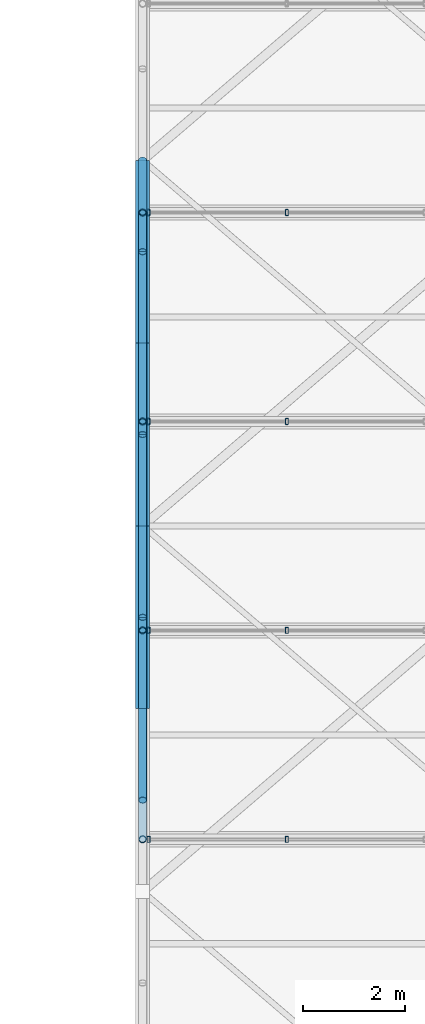
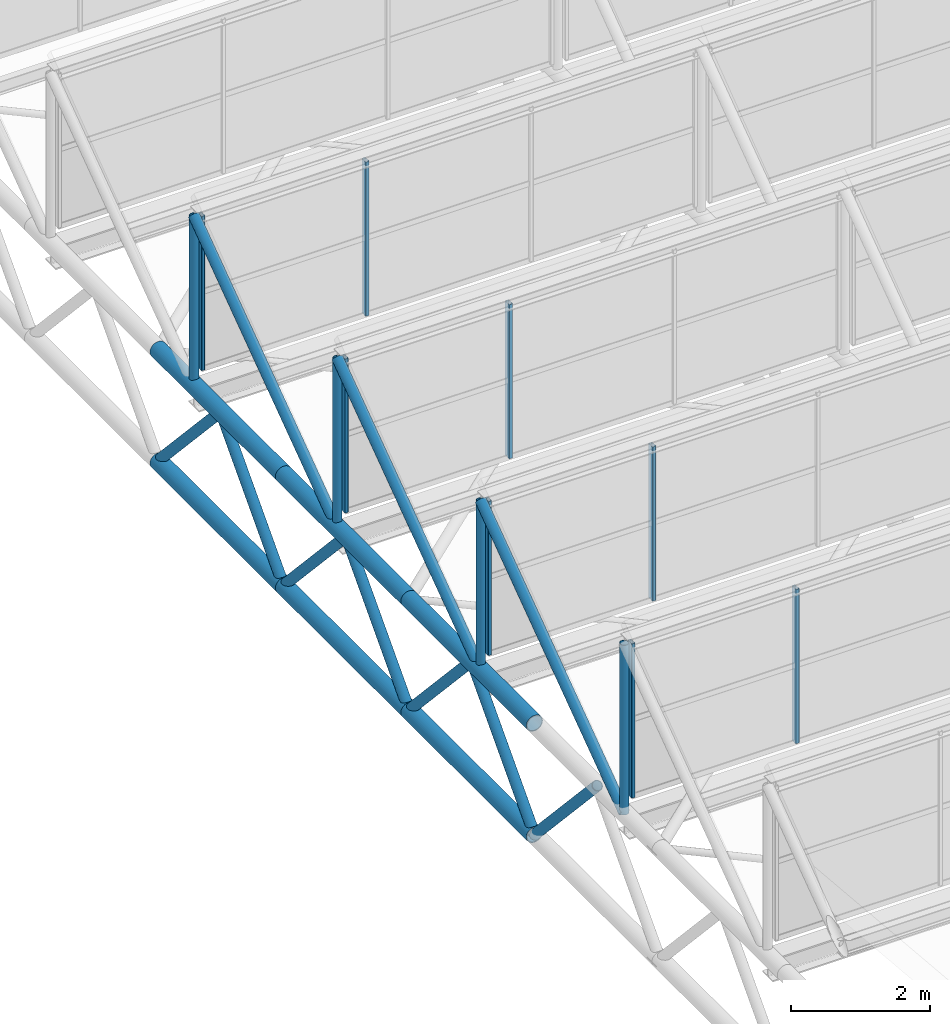
# One storey, part 51 of 134: 28 members, 4 elements without a shape of their own.
"""IFC4 building model written with IfcOpenShell, lengths in metres."""

from ifc_helpers import new_model, si_unit, derived_unit, direction, frame, origin, origin_2d, place, context, subcontext, project, spatial, hollow_rectangle, hollow_circle, extrude, material, material_profile, profile_set, type_object, element, aggregate, save


model = new_model("IFC4")

# Units and contexts
model_context = context("Model", 3, precision=1e-05, world=origin(), true_north=direction((0.0, 1.0)))
body_context = subcontext(model_context, "Body", "Model", "MODEL_VIEW")
ifc_project = project(units=[si_unit("LENGTHUNIT", "METRE"), si_unit("AREAUNIT", "SQUARE_METRE"), si_unit("VOLUMEUNIT", "CUBIC_METRE"), si_unit("PLANEANGLEUNIT", "RADIAN"), si_unit("MASSUNIT", "GRAM", prefix="KILO"), derived_unit("THERMALTRANSMITTANCEUNIT", [(si_unit("MASSUNIT", "GRAM", prefix="KILO"), 1), (si_unit("TIMEUNIT", "SECOND"), -3), (si_unit("THERMODYNAMICTEMPERATUREUNIT", "KELVIN"), -1)])], contexts=[model_context])

# Site, building, storey
site_placement = place(None, origin())
site = spatial("IfcSite", under=ifc_project, at=site_placement, CompositionType="ELEMENT")
building_placement = place(site_placement, origin())
building = spatial("IfcBuilding", under=site, at=building_placement, Name="Kharveza Railside Sports Centre", CompositionType="ELEMENT")
storey_placement = place(building_placement, frame((0.0, 0.0, 12.89990234375)))
storey = spatial("IfcBuildingStorey", under=building, at=storey_placement, Name="L03", CompositionType="ELEMENT", Elevation=12.89990234375)

# Curtain wall, members
ifc_material_1 = material(Name="Low-E solar-control laminated glass", Category="glass")
curtain_wall_type = type_object("IfcCurtainWallType", Name="CW-NL02", PredefinedType="NOTDEFINED", material=ifc_material_1)
curtain_wall_1_placement = place(storey_placement, origin())
curtain_wall_1 = element("IfcCurtainWall", 1, at=curtain_wall_1_placement, inside=storey, type_object=curtain_wall_type, Name="CW-V2NL-2-1", PredefinedType="NOTDEFINED")
ifc_material_2 = material(Name="Anodised aluminium 6063-T6", Category="aluminium")
ifc_material_profile_1 = material_profile(ifc_material_2, hollow_rectangle(XDim=0.06005859375, YDim=0.1201171875, WallThickness=0.0048828125, InnerFilletRadius=0.0048828125, OuterFilletRadius=0.010009765625, at=origin_2d()), Name="RHS 60x120x5.0")
ifc_profile_set_1 = profile_set([ifc_material_profile_1], Name="Anodised aluminium 6063-T6")
member_type_1 = type_object("IfcMemberType", Name="CW-ML05", PredefinedType="MULLION", material=ifc_profile_set_1)
member_1_placement = place(storey_placement, frame((92.52001953125, 87.4287109375, 2.2001953125), z_axis=(0.0, 0.0, 1.0), x_axis=(1.0, 0.0, 0.0)))
member_1 = element("IfcMember", 2, at=member_1_placement, type_object=member_type_1, Name="CW-V2NL-2-1-ML1", PredefinedType="MULLION", context=body_context, shape_type="SweptSolid", body=[
    extrude(hollow_rectangle(XDim=0.06005859375, YDim=0.1201171875, WallThickness=0.0048828125, InnerFilletRadius=0.0048828125, OuterFilletRadius=0.010009765625, at=origin_2d()), origin(), (0.0, 0.0, 1.0), 2.699951171875),
])
member_2_placement = place(storey_placement, frame((95.239990234375, 87.4287109375, 2.2001953125), z_axis=(0.0, 0.0, 1.0), x_axis=(1.0, 0.0, 0.0)))
member_2 = element("IfcMember", 3, at=member_2_placement, type_object=member_type_1, Name="CW-V2NL-2-1-ML2", PredefinedType="MULLION", context=body_context, shape_type="SweptSolid", body=[
    extrude(hollow_rectangle(XDim=0.06005859375, YDim=0.1201171875, WallThickness=0.0048828125, InnerFilletRadius=0.0048828125, OuterFilletRadius=0.010009765625, at=origin_2d()), origin(), (0.0, 0.0, 1.0), 2.699951171875),
])
aggregate(curtain_wall_1, [member_1, member_2])

curtain_wall_2_placement = place(storey_placement, origin())
curtain_wall_2 = element("IfcCurtainWall", 4, at=curtain_wall_2_placement, inside=storey, type_object=curtain_wall_type, Name="CW-V2NL-3-1", PredefinedType="NOTDEFINED")
member_3_placement = place(storey_placement, frame((92.52001953125, 91.54296875, 2.2001953125), z_axis=(0.0, 0.0, 1.0), x_axis=(1.0, 0.0, 0.0)))
member_3 = element("IfcMember", 5, at=member_3_placement, type_object=member_type_1, Name="CW-V2NL-3-1-ML1", PredefinedType="MULLION", context=body_context, shape_type="SweptSolid", body=[
    extrude(hollow_rectangle(XDim=0.06005859375, YDim=0.1201171875, WallThickness=0.0048828125, InnerFilletRadius=0.0048828125, OuterFilletRadius=0.010009765625, at=origin_2d()), origin(), (0.0, 0.0, 1.0), 2.699951171875),
])
member_4_placement = place(storey_placement, frame((95.239990234375, 91.54296875, 2.2001953125), z_axis=(0.0, 0.0, 1.0), x_axis=(1.0, 0.0, 0.0)))
member_4 = element("IfcMember", 6, at=member_4_placement, type_object=member_type_1, Name="CW-V2NL-3-1-ML2", PredefinedType="MULLION", context=body_context, shape_type="SweptSolid", body=[
    extrude(hollow_rectangle(XDim=0.06005859375, YDim=0.1201171875, WallThickness=0.0048828125, InnerFilletRadius=0.0048828125, OuterFilletRadius=0.010009765625, at=origin_2d()), origin(), (0.0, 0.0, 1.0), 2.699951171875),
])
aggregate(curtain_wall_2, [member_3, member_4])

curtain_wall_3_placement = place(storey_placement, origin())
curtain_wall_3 = element("IfcCurtainWall", 7, at=curtain_wall_3_placement, inside=storey, type_object=curtain_wall_type, Name="CW-V2NL-4-1", PredefinedType="NOTDEFINED")
member_5_placement = place(storey_placement, frame((92.52001953125, 95.656982421875, 2.2001953125), z_axis=(0.0, 0.0, 1.0), x_axis=(1.0, 0.0, 0.0)))
member_5 = element("IfcMember", 8, at=member_5_placement, type_object=member_type_1, Name="CW-V2NL-4-1-ML1", PredefinedType="MULLION", context=body_context, shape_type="SweptSolid", body=[
    extrude(hollow_rectangle(XDim=0.06005859375, YDim=0.1201171875, WallThickness=0.0048828125, InnerFilletRadius=0.0048828125, OuterFilletRadius=0.010009765625, at=origin_2d()), origin(), (0.0, 0.0, 1.0), 2.699951171875),
])
member_6_placement = place(storey_placement, frame((95.239990234375, 95.656982421875, 2.2001953125), z_axis=(0.0, 0.0, 1.0), x_axis=(1.0, 0.0, 0.0)))
member_6 = element("IfcMember", 9, at=member_6_placement, type_object=member_type_1, Name="CW-V2NL-4-1-ML2", PredefinedType="MULLION", context=body_context, shape_type="SweptSolid", body=[
    extrude(hollow_rectangle(XDim=0.06005859375, YDim=0.1201171875, WallThickness=0.0048828125, InnerFilletRadius=0.0048828125, OuterFilletRadius=0.010009765625, at=origin_2d()), origin(), (0.0, 0.0, 1.0), 2.699951171875),
])
aggregate(curtain_wall_3, [member_5, member_6])

curtain_wall_4_placement = place(storey_placement, origin())
curtain_wall_4 = element("IfcCurtainWall", 10, at=curtain_wall_4_placement, inside=storey, type_object=curtain_wall_type, Name="CW-V2NL-5-1", PredefinedType="NOTDEFINED")
member_7_placement = place(storey_placement, frame((92.52001953125, 99.771484375, 2.2001953125), z_axis=(0.0, 0.0, 1.0), x_axis=(1.0, 0.0, 0.0)))
member_7 = element("IfcMember", 11, at=member_7_placement, type_object=member_type_1, Name="CW-V2NL-5-1-ML1", PredefinedType="MULLION", context=body_context, shape_type="SweptSolid", body=[
    extrude(hollow_rectangle(XDim=0.06005859375, YDim=0.1201171875, WallThickness=0.0048828125, InnerFilletRadius=0.0048828125, OuterFilletRadius=0.010009765625, at=origin_2d()), origin(), (0.0, 0.0, 1.0), 2.699951171875),
])
member_8_placement = place(storey_placement, frame((95.239990234375, 99.771484375, 2.2001953125), z_axis=(0.0, 0.0, 1.0), x_axis=(1.0, 0.0, 0.0)))
member_8 = element("IfcMember", 12, at=member_8_placement, type_object=member_type_1, Name="CW-V2NL-5-1-ML2", PredefinedType="MULLION", context=body_context, shape_type="SweptSolid", body=[
    extrude(hollow_rectangle(XDim=0.06005859375, YDim=0.1201171875, WallThickness=0.0048828125, InnerFilletRadius=0.0048828125, OuterFilletRadius=0.010009765625, at=origin_2d()), origin(), (0.0, 0.0, 1.0), 2.699951171875),
])
aggregate(curtain_wall_4, [member_7, member_8])

# Members
ifc_material_3 = material(Name="Steel S355J2", Category="steel")
ifc_material_profile_2 = material_profile(ifc_material_3, hollow_circle(Radius=0.136474609375, WallThickness=0.01416015625, at=origin_2d()), Name="CHS 273.0x14.2")
ifc_profile_set_2 = profile_set([ifc_material_profile_2], Name="Steel S355J2")
member_type_2 = type_object("IfcMemberType", Name="MB-CH03", PredefinedType="CHORD", material=ifc_profile_set_2)
for number, where, z_axis, x_axis, name in (
    (13, (92.39990234375, 90.0, 0.0), (0.0, 1.0, 0.0), (-1.0, 0.0, 0.0), "MB-V2TR-BC-1-4"),
    (14, (92.39990234375, 90.0, 1.9501953125), (0.0, 1.0, 0.0), (-1.0, 0.0, 0.0), "MB-V2TR-TC-1-4"),
):
    element("IfcMember", number, at=place(storey_placement, frame(where, z_axis=z_axis, x_axis=x_axis)), inside=storey, type_object=member_type_2, Name=name, PredefinedType="CHORD", context=body_context, shape_type="SweptSolid", body=[
        extrude(hollow_circle(Radius=0.136474609375, WallThickness=0.01416015625, at=origin_2d()), origin(), (0.0, 0.0, 1.0), 3.60009765625),
    ])
for number, where, z_axis, x_axis, name in (
    (15, (92.39990234375, 93.60009765625, 0.0), (0.0, 1.0, 0.0), (-1.0, 0.0, 0.0), "MB-V2TR-BC-1-5"),
    (16, (92.39990234375, 93.60009765625, 1.9501953125), (0.0, 1.0, 0.0), (-1.0, 0.0, 0.0), "MB-V2TR-TC-1-5"),
):
    element("IfcMember", number, at=place(storey_placement, frame(where, z_axis=z_axis, x_axis=x_axis)), inside=storey, type_object=member_type_2, Name=name, PredefinedType="CHORD", context=body_context, shape_type="SweptSolid", body=[
        extrude(hollow_circle(Radius=0.136474609375, WallThickness=0.01416015625, at=origin_2d()), origin(), (0.0, 0.0, 1.0), 3.599853515625),
    ])
for number, where, z_axis, x_axis, name in (
    (17, (92.39990234375, 97.199951171875, 0.0), (0.0, 1.0, 0.0), (-1.0, 0.0, 0.0), "MB-V2TR-BC-1-6"),
    (18, (92.39990234375, 97.199951171875, 1.9501953125), (0.0, 1.0, 0.0), (-1.0, 0.0, 0.0), "MB-V2TR-TC-1-6"),
):
    element("IfcMember", number, at=place(storey_placement, frame(where, z_axis=z_axis, x_axis=x_axis)), inside=storey, type_object=member_type_2, Name=name, PredefinedType="CHORD", context=body_context, shape_type="SweptSolid", body=[
        extrude(hollow_circle(Radius=0.136474609375, WallThickness=0.01416015625, at=origin_2d()), origin(), (0.0, 0.0, 1.0), 3.60009765625),
    ])
ifc_material_profile_3 = material_profile(ifc_material_3, hollow_circle(Radius=0.084228515625, WallThickness=0.010009765625, at=origin_2d()), Name="CHS 168.3x10.0")
ifc_profile_set_3 = profile_set([ifc_material_profile_3], Name="Steel S355J2")
member_type_3 = type_object("IfcMemberType", Name="MB-ST03", PredefinedType="STRUT", material=ifc_profile_set_3)
for number, where, z_axis, x_axis, name in (
    (19, (92.39990234375, 88.199951171875, 1.9501953125), (0.0, 0.67825335715, -0.734828131956), (-1.0, 0.0, 0.0), "MB-V2TR-D2-1-3"),
    (20, (92.39990234375, 90.0, 0.0), (0.0, 0.67825335715, 0.734828131956), (-1.0, 0.0, 0.0), "MB-V2TR-D1-1-4"),
    (21, (92.39990234375, 91.800048828125, 1.9501953125), (0.0, 0.67825335715, -0.734828131956), (-1.0, 0.0, 0.0), "MB-V2TR-D2-1-4"),
):
    element("IfcMember", number, at=place(storey_placement, frame(where, z_axis=z_axis, x_axis=x_axis)), inside=storey, type_object=member_type_3, Name=name, PredefinedType="STRUT", context=body_context, shape_type="SweptSolid", body=[
        extrude(hollow_circle(Radius=0.084228515625, WallThickness=0.010009765625, at=origin_2d()), origin(), (0.0, 0.0, 1.0), 2.654052734375),
    ])
member_9_placement = place(storey_placement, frame((92.39990234375, 93.60009765625, 0.0), z_axis=(0.0, 0.678203679629, 0.734873981671), x_axis=(-1.0, 0.0, 0.0)))
element("IfcMember", 22, at=member_9_placement, inside=storey, type_object=member_type_3, Name="MB-V2TR-D1-1-5", PredefinedType="STRUT", context=body_context, shape_type="SweptSolid", body=[
    extrude(hollow_circle(Radius=0.084228515625, WallThickness=0.010009765625, at=origin_2d()), origin(), (0.0, 0.0, 1.0), 2.65380859375),
])
for number, where, z_axis, x_axis, name in (
    (23, (92.39990234375, 95.39990234375, 1.9501953125), (0.0, 0.67825335715, -0.734828131956), (-1.0, 0.0, 0.0), "MB-V2TR-D2-1-5"),
    (24, (92.39990234375, 97.199951171875, 0.0), (0.0, 0.67825335715, 0.734828131956), (-1.0, 0.0, 0.0), "MB-V2TR-D1-1-6"),
    (25, (92.39990234375, 99.0, 1.9501953125), (0.0, 0.67825335715, -0.734828131956), (-1.0, 0.0, 0.0), "MB-V2TR-D2-1-6"),
):
    element("IfcMember", number, at=place(storey_placement, frame(where, z_axis=z_axis, x_axis=x_axis)), inside=storey, type_object=member_type_3, Name=name, PredefinedType="STRUT", context=body_context, shape_type="SweptSolid", body=[
        extrude(hollow_circle(Radius=0.084228515625, WallThickness=0.010009765625, at=origin_2d()), origin(), (0.0, 0.0, 1.0), 2.654052734375),
    ])
member_10_placement = place(storey_placement, frame((92.39990234375, 87.4287109375, 1.9501953125), z_axis=(0.0, 0.810813691418, 0.585304329225), x_axis=(-1.0, 0.0, 0.0)))
element("IfcMember", 26, at=member_10_placement, inside=storey, type_object=member_type_3, Name="MB-V2SAW-RFT-3-1", PredefinedType="STRUT", context=body_context, shape_type="SweptSolid", body=[
    extrude(hollow_circle(Radius=0.084228515625, WallThickness=0.010009765625, at=origin_2d()), origin(), (0.0, 0.0, 1.0), 5.07421875),
])
member_11_placement = place(storey_placement, frame((92.39990234375, 91.54296875, 1.9501953125), z_axis=(0.0, 0.810797207573, 0.585327163381), x_axis=(-1.0, 0.0, 0.0)))
element("IfcMember", 27, at=member_11_placement, inside=storey, type_object=member_type_3, Name="MB-V2SAW-RFT-4-1", PredefinedType="STRUT", context=body_context, shape_type="SweptSolid", body=[
    extrude(hollow_circle(Radius=0.084228515625, WallThickness=0.010009765625, at=origin_2d()), origin(), (0.0, 0.0, 1.0), 5.073974609375),
])
member_12_placement = place(storey_placement, frame((92.39990234375, 95.656982421875, 1.9501953125), z_axis=(0.0, 0.810830173333, 0.585281496386), x_axis=(-1.0, 0.0, 0.0)))
element("IfcMember", 28, at=member_12_placement, inside=storey, type_object=member_type_3, Name="MB-V2SAW-RFT-5-1", PredefinedType="STRUT", context=body_context, shape_type="SweptSolid", body=[
    extrude(hollow_circle(Radius=0.084228515625, WallThickness=0.010009765625, at=origin_2d()), origin(), (0.0, 0.0, 1.0), 5.074462890625),
])
ifc_material_profile_4 = material_profile(ifc_material_3, hollow_circle(Radius=0.06982421875, WallThickness=0.008056640625, at=origin_2d()), Name="CHS 139.7x8.0")
ifc_profile_set_4 = profile_set([ifc_material_profile_4], Name="Steel S355J2")
member_type_4 = type_object("IfcMemberType", Name="MB-ST04", PredefinedType="STRUT", material=ifc_profile_set_4)
for number, where, z_axis, x_axis, name in (
    (29, (92.39990234375, 87.4287109375, 1.9501953125), (0.0, 0.0, 1.0), (1.0, 0.0, 0.0), "MB-V2SAW-PST-2-1"),
    (30, (92.39990234375, 91.54296875, 1.9501953125), (0.0, 0.0, 1.0), (1.0, 0.0, 0.0), "MB-V2SAW-PST-3-1"),
    (31, (92.39990234375, 95.656982421875, 1.9501953125), (0.0, 0.0, 1.0), (1.0, 0.0, 0.0), "MB-V2SAW-PST-4-1"),
    (32, (92.39990234375, 99.771484375, 1.9501953125), (0.0, 0.0, 1.0), (1.0, 0.0, 0.0), "MB-V2SAW-PST-5-1"),
):
    element("IfcMember", number, at=place(storey_placement, frame(where, z_axis=z_axis, x_axis=x_axis)), inside=storey, type_object=member_type_4, Name=name, PredefinedType="STRUT", context=body_context, shape_type="SweptSolid", body=[
        extrude(hollow_circle(Radius=0.06982421875, WallThickness=0.008056640625, at=origin_2d()), origin(), (0.0, 0.0, 1.0), 2.969970703125),
    ])

save(model, "model.ifc")
